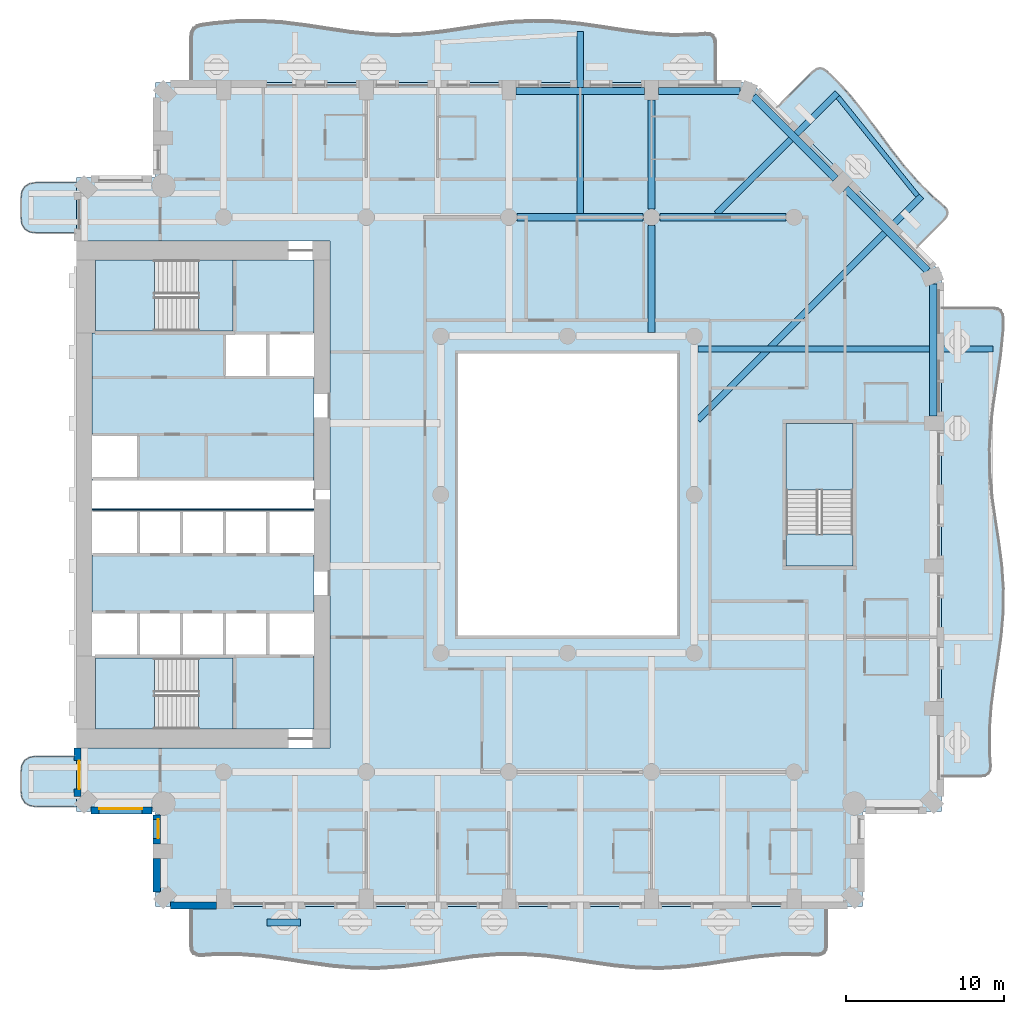
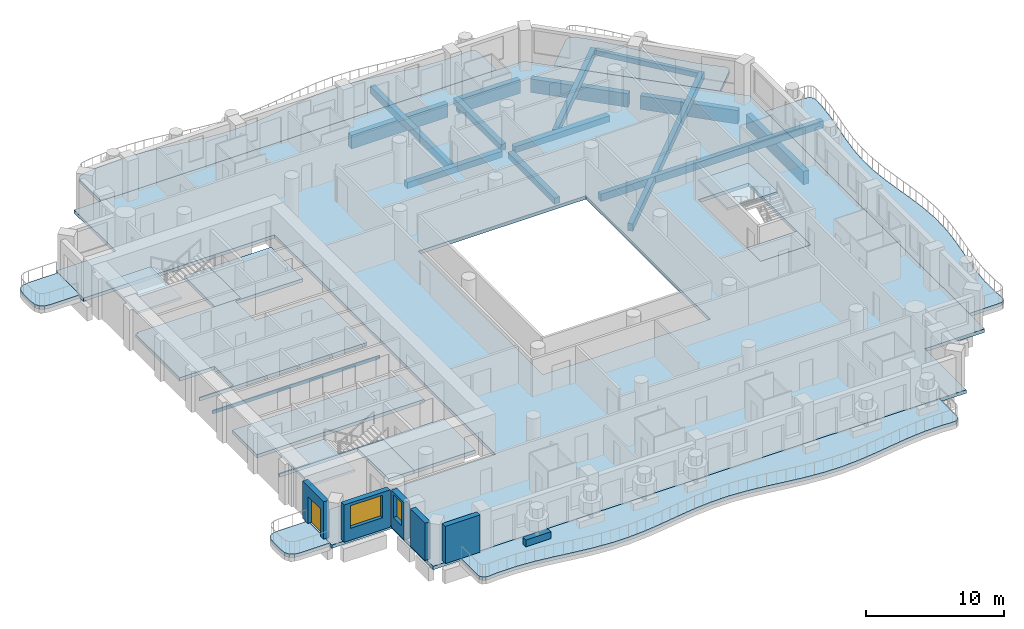
# One storey, part 2 of 19: 17 slabs, 14 beams, 6 walls, 2 windows, 1 door, 3 openings, 3 elements without a shape of their own.
"""IFC4 building model written with IfcOpenShell, lengths in metres."""

from ifc_helpers import new_model, si_unit, direction, frame, frame_2d, origin, origin_2d, place, context, subcontext, project, spatial, polyline, rectangle, outline, extrude, material, layer, layer_set, material_profile, profile_set, type_object, element, fill, aggregate, save


model = new_model("IFC4")

# Units and contexts
model_context = context("Model", 3, precision=1e-05, world=origin(), true_north=direction((0.0, 1.0)))
body_context = subcontext(model_context, "Body", "Model", "MODEL_VIEW")
ifc_project = project(units=[si_unit("LENGTHUNIT", "METRE"), si_unit("AREAUNIT", "SQUARE_METRE"), si_unit("VOLUMEUNIT", "CUBIC_METRE"), si_unit("PLANEANGLEUNIT", "RADIAN"), si_unit("MASSUNIT", "GRAM", prefix="KILO")], contexts=[model_context])

# Site, building, storey
site_placement = place(None, origin())
site = spatial("IfcSite", under=ifc_project, at=site_placement, CompositionType="ELEMENT")
building_placement = place(site_placement, origin())
building = spatial("IfcBuilding", under=site, at=building_placement, Name="Cypress Arch Tower", CompositionType="ELEMENT")
storey_placement = place(building_placement, frame((0.0, 0.0, 105.89990234375)))
storey = spatial("IfcBuildingStorey", under=building, at=storey_placement, Name="L21", CompositionType="ELEMENT", Elevation=105.89990234375)

# Beams
ifc_material_1 = material(Name="Concrete C50/60", Category="concrete")
ifc_material_profile_1 = material_profile(ifc_material_1, rectangle(XDim=0.300048828125, YDim=0.449951171875, at=origin_2d()), Name="RC 300x450")
ifc_profile_set_1 = profile_set([ifc_material_profile_1], Name="Concrete C50/60")
beam_type_1 = type_object("IfcBeamType", Name="Balcony edge beam RC 300x450 Concrete C50/60", PredefinedType="BEAM", material=ifc_profile_set_1)
beam_1_placement = place(storey_placement, frame((23.08642578125, 18.85693359375, -0.52490234375), z_axis=(-0.627602251631, 0.77853414424, 0.0), x_axis=(-0.77853414424, -0.627602251631, 0.0)))
element("IfcBeam", 1, at=beam_1_placement, inside=storey, type_object=beam_type_1, Name="Balcony edge beam L21 A07", PredefinedType="BEAM", context=body_context, shape_type="SweptSolid", body=[
    extrude(rectangle(XDim=0.300048828125, YDim=0.449951171875, at=origin_2d()), origin(), (0.0, 0.0, 1.0), 8.0068359375),
])
ifc_material_2 = material(Name="Concrete C50/60", Category="concrete")
ifc_material_profile_2 = material_profile(ifc_material_2, rectangle(XDim=0.39990234375, YDim=0.64990234375, at=origin_2d()), Name="RC 400x650")
ifc_profile_set_2 = profile_set([ifc_material_profile_2], Name="Concrete C50/60")
beam_type_2 = type_object("IfcBeamType", Name="Cantilever beam RC 400x650 Concrete C50/60", PredefinedType="BEAM", material=ifc_profile_set_2)
beam_2_placement = place(storey_placement, frame((9.22509765625, 9.18798828125, -0.625), z_axis=(1.0, 0.0, 0.0), x_axis=(0.0, 1.0, 0.0)))
element("IfcBeam", 2, at=beam_2_placement, inside=storey, type_object=beam_type_2, Name="Cantilever beam L21 A06 2", PredefinedType="BEAM", context=body_context, shape_type="SweptSolid", body=[
    extrude(rectangle(XDim=0.39990234375, YDim=0.64990234375, at=origin_2d()), origin(), (0.0, 0.0, 1.0), 18.62744140625),
])
beam_3_placement = place(storey_placement, frame((9.22509765625, 4.712890625, -0.625), z_axis=(0.707100663208, 0.707112899112, 0.0), x_axis=(-0.707112899112, 0.707100663208, 0.0)))
element("IfcBeam", 3, at=beam_3_placement, inside=storey, type_object=beam_type_2, Name="Cantilever beam L21 A07 1", PredefinedType="BEAM", context=body_context, shape_type="SweptSolid", body=[
    extrude(rectangle(XDim=0.39990234375, YDim=0.64990234375, at=origin_2d()), origin(), (0.0, 0.0, 1.0), 19.952880859375),
])
beam_4_placement = place(storey_placement, frame((10.412841796875, 17.72509765625, -0.625), z_axis=(0.707118119295, 0.707095442897, 0.0), x_axis=(-0.707095442897, 0.707118119295, 0.0)))
element("IfcBeam", 4, at=beam_4_placement, inside=storey, type_object=beam_type_2, Name="Cantilever beam L21 A07 2", PredefinedType="BEAM", context=body_context, shape_type="SweptSolid", body=[
    extrude(rectangle(XDim=0.39990234375, YDim=0.64990234375, at=origin_2d()), origin(), (0.0, 0.0, 1.0), 10.766357421875),
])
beam_5_placement = place(storey_placement, frame((1.800048828125, 17.72509765625, -0.625), z_axis=(0.0, 1.0, 0.0), x_axis=(-1.0, 0.0, 0.0)))
element("IfcBeam", 5, at=beam_5_placement, inside=storey, type_object=beam_type_2, Name="Cantilever beam L21 A08 1", PredefinedType="BEAM", context=body_context, shape_type="SweptSolid", body=[
    extrude(rectangle(XDim=0.39990234375, YDim=0.64990234375, at=origin_2d()), origin(), (0.0, 0.0, 1.0), 11.488037109375),
])
ifc_material_3 = material(Name="Concrete C50/60", Category="concrete")
ifc_material_profile_3 = material_profile(ifc_material_3, rectangle(XDim=0.449951171875, YDim=0.550048828125, at=origin_2d()), Name="RC 450x550")
ifc_profile_set_3 = profile_set([ifc_material_profile_3], Name="Concrete C50/60")
beam_type_3 = type_object("IfcBeamType", Name="Floor beam RC 450x550 Concrete C50/60", PredefinedType="BEAM", material=ifc_profile_set_3)
for number, where, z_axis, x_axis, name in (
    (6, (-2.175048828125, 17.5, -0.574951171875), (1.0, 0.0, 0.0), (0.0, 1.0, 0.0), "Floor beam L21 FB017"),
    (7, (6.824951171875, 17.5, -0.574951171875), (1.0, 0.0, 0.0), (0.0, 1.0, 0.0), "Floor beam L21 FB018"),
):
    element("IfcBeam", number, at=place(storey_placement, frame(where, z_axis=z_axis, x_axis=x_axis)), inside=storey, type_object=beam_type_3, Name=name, PredefinedType="BEAM", context=body_context, shape_type="SweptSolid", body=[
        extrude(rectangle(XDim=0.449951171875, YDim=0.550048828125, at=origin_2d()), origin(), (0.0, 0.0, 1.0), 7.949951171875),
    ])
beam_6_placement = place(storey_placement, frame((6.300048828125, 10.22509765625, -0.574951171875), z_axis=(0.0, 1.0, 0.0), x_axis=(-1.0, 0.0, 0.0)))
element("IfcBeam", 8, at=beam_6_placement, inside=storey, type_object=beam_type_3, Name="Floor beam L21 FB032", PredefinedType="BEAM", context=body_context, shape_type="SweptSolid", body=[
    extrude(rectangle(XDim=0.449951171875, YDim=0.550048828125, at=origin_2d()), origin(), (0.0, 0.0, 1.0), 6.75),
])
beam_7_placement = place(storey_placement, frame((6.300048828125, 18.02490234375, -0.574951171875), z_axis=(0.0, 1.0, 0.0), x_axis=(-1.0, 0.0, 0.0)))
element("IfcBeam", 9, at=beam_7_placement, inside=storey, type_object=beam_type_3, Name="Floor beam L21 FB033", PredefinedType="BEAM", context=body_context, shape_type="SweptSolid", body=[
    extrude(rectangle(XDim=0.449951171875, YDim=0.550048828125, at=origin_2d()), origin(), (0.0, 0.0, 1.0), 6.875),
])
ifc_material_4 = material(Name="Concrete C50/60", Category="concrete")
ifc_material_profile_4 = material_profile(ifc_material_4, rectangle(XDim=0.449951171875, YDim=1.199951171875, at=origin_2d()), Name="RC 450x1200")
ifc_profile_set_4 = profile_set([ifc_material_profile_4], Name="Concrete C50/60")
beam_type_4 = type_object("IfcBeamType", Name="Spandrel beam RC 450x1200 Concrete C50/60", PredefinedType="SPANDREL", material=ifc_profile_set_4)
beam_8_placement = place(storey_placement, frame((24.074951171875, 4.949951171875, -1.5498046875), z_axis=(0.0, 1.0, 0.0), x_axis=(-1.0, 0.0, 0.0)))
element("IfcBeam", 10, at=beam_8_placement, inside=storey, type_object=beam_type_4, Name="Spandrel beam L21 BA06-3", PredefinedType="SPANDREL", context=body_context, shape_type="SweptSolid", body=[
    extrude(rectangle(XDim=0.449951171875, YDim=1.199951171875, at=origin_2d()), origin(), (0.0, 0.0, 1.0), 8.345458984375),
])
for number, where, z_axis, x_axis, name in (
    (11, (23.73046875, 14.126953125, -1.5498046875), (-0.707106781187, 0.707106781187, 0.0), (-0.707106781187, -0.707106781187, 0.0), "Spandrel beam L21 BA07-0"),
    (12, (17.91064453125, 19.947021484375, -1.5498046875), (-0.707106781187, 0.707106781187, 0.0), (-0.707106781187, -0.707106781187, 0.0), "Spandrel beam L21 BA07-1"),
):
    element("IfcBeam", number, at=place(storey_placement, frame(where, z_axis=z_axis, x_axis=x_axis)), inside=storey, type_object=beam_type_4, Name=name, PredefinedType="SPANDREL", context=body_context, shape_type="SweptSolid", body=[
        extrude(rectangle(XDim=0.449951171875, YDim=1.199951171875, at=origin_2d()), origin(), (0.0, 0.0, 1.0), 7.330810546875),
    ])
beam_9_placement = place(storey_placement, frame((11.8955078125, 25.47509765625, -1.5498046875), z_axis=(-1.0, 0.0, 0.0), x_axis=(0.0, -1.0, 0.0)))
element("IfcBeam", 13, at=beam_9_placement, inside=storey, type_object=beam_type_4, Name="Spandrel beam L21 BA08-0", PredefinedType="SPANDREL", context=body_context, shape_type="SweptSolid", body=[
    extrude(rectangle(XDim=0.449951171875, YDim=1.199951171875, at=origin_2d()), origin(), (0.0, 0.0, 1.0), 5.1455078125),
])
beam_10_placement = place(storey_placement, frame((5.85009765625, 25.47509765625, -1.5498046875), z_axis=(-1.0, 0.0, 0.0), x_axis=(0.0, -1.0, 0.0)))
element("IfcBeam", 14, at=beam_10_placement, inside=storey, type_object=beam_type_4, Name="Spandrel beam L21 BA08-1", PredefinedType="SPANDREL", context=body_context, shape_type="SweptSolid", body=[
    extrude(rectangle(XDim=0.449951171875, YDim=1.199951171875, at=origin_2d()), origin(), (0.0, 0.0, 1.0), 8.10009765625),
])

# Slabs
ifc_material_5 = material(Name="Concrete C40/50", Category="concrete")
ifc_layer_1 = layer(ifc_material_5, 0.300048828125)
ifc_layer_set_1 = layer_set([ifc_layer_1], Name="Balcony slab BS300")
slab_type_1 = type_object("IfcSlabType", Name="Balcony slab BS300", PredefinedType="USERDEFINED", material=ifc_layer_set_1)
slab_1_placement = place(storey_placement, frame((0.0, 0.0, -0.2998046875)))
element("IfcSlab", 15, at=slab_1_placement, inside=storey, type_object=slab_type_1, Name="Balcony slab L21-A00W0", ObjectType="BALCONY SLAB", PredefinedType="USERDEFINED", context=body_context, shape_type="SweptSolid", body=[
    extrude(outline(polyline([(-30.0, 19.699951171875), (-32.5, 19.699951171875), (-32.9375, 19.637451171875), (-33.25, 19.449951171875), (-33.4375, 19.137451171875), (-33.5, 18.699951171875), (-33.5, 17.5), (-33.4375, 17.0625), (-33.25, 16.75), (-32.9375, 16.5625), (-32.5, 16.5), (-30.0, 16.5), (-30.0, 19.699951171875)])), origin(), (0.0, 0.0, 1.0), 0.2998046875),
])
slab_2_placement = place(storey_placement, frame((0.0, 0.0, -0.2998046875)))
element("IfcSlab", 16, at=slab_2_placement, inside=storey, type_object=slab_type_1, Name="Balcony slab L21-A00W1", ObjectType="BALCONY SLAB", PredefinedType="USERDEFINED", context=body_context, shape_type="SweptSolid", body=[
    extrude(outline(polyline([(-30.0, -16.5), (-32.5, -16.5), (-32.9375, -16.5625), (-33.25, -16.75), (-33.4375, -17.0625), (-33.5, -17.5), (-33.5, -18.699951171875), (-33.4375, -19.137451171875), (-33.25, -19.449951171875), (-32.9375, -19.637451171875), (-32.5, -19.699951171875), (-30.0, -19.699951171875), (-30.0, -16.5)])), origin(), (0.0, 0.0, 1.0), 0.2998046875),
])
slab_3_placement = place(storey_placement, frame((0.0, 0.0, -0.2998046875)))
element("IfcSlab", 17, at=slab_3_placement, inside=storey, type_object=slab_type_1, Name="Balcony slab L21-A03", ObjectType="BALCONY SLAB", PredefinedType="USERDEFINED", context=body_context, shape_type="SweptSolid", body=[
    extrude(outline(polyline([(-22.75, -26.0), (-22.75, -28.46142578125), (-22.708251953125, -28.75146484375), (-22.5830078125, -28.951171875), (-22.3740234375, -29.060546875), (-22.081787109375, -29.07958984375), (-21.264892578125, -29.015869140625), (-19.779541015625, -29.01416015625), (-18.29443359375, -29.126953125), (-16.809326171875, -29.324462890625), (-15.323974609375, -29.55517578125), (-13.8388671875, -29.758056640625), (-12.353759765625, -29.880126953125), (-10.868408203125, -29.88916015625), (-9.38330078125, -29.78271484375), (-7.898193359375, -29.5888671875), (-6.412841796875, -29.3583984375), (-4.927734375, -29.152099609375), (-3.442626953125, -29.024169921875), (-1.95751953125, -29.008056640625), (-0.47216796875, -29.108154296875), (1.012939453125, -29.298095703125), (2.498046875, -29.52783203125), (3.9833984375, -29.7373046875), (5.468505859375, -29.87109375), (6.95361328125, -29.894287109375), (8.43896484375, -29.80078125), (9.924072265625, -29.614990234375), (11.4091796875, -29.385986328125), (12.89453125, -29.173583984375), (14.379638671875, -29.033935546875), (15.86474609375, -29.003662109375), (16.681640625, -29.051513671875), (16.97412109375, -29.02685546875), (17.182861328125, -28.91357421875), (17.308349609375, -28.711669921875), (17.35009765625, -28.421142578125), (17.35009765625, -26.0), (-22.75, -26.0)])), origin(), (0.0, 0.0, 1.0), 0.2998046875),
])
slab_4_placement = place(storey_placement, frame((0.0, 0.0, -0.2998046875)))
element("IfcSlab", 18, at=slab_4_placement, inside=storey, type_object=slab_type_1, Name="Balcony slab L21-A06", ObjectType="BALCONY SLAB", PredefinedType="USERDEFINED", context=body_context, shape_type="SweptSolid", body=[
    extrude(outline(polyline([(24.60009765625, -17.75), (27.06591796875, -17.75), (27.35400390625, -17.70849609375), (27.552490234375, -17.583984375), (27.660888671875, -17.376708984375), (27.679931640625, -17.086181640625), (27.616455078125, -16.27490234375), (27.61328125, -14.800048828125), (27.7236328125, -13.324951171875), (27.91845703125, -11.85009765625), (28.1474609375, -10.375), (28.35107421875, -8.89990234375), (28.476806640625, -7.425048828125), (28.49169921875, -5.949951171875), (28.39208984375, -4.47509765625), (28.203857421875, -3.0), (27.975830078125, -1.52490234375), (27.766845703125, -0.050048828125), (27.63134765625, 1.425048828125), (27.6044921875, 2.89990234375), (27.69287109375, 4.375), (27.874267578125, 5.85009765625), (28.100830078125, 7.324951171875), (28.314453125, 8.800048828125), (28.45947265625, 10.27490234375), (28.480712890625, 11.086181640625), (28.447021484375, 11.376708984375), (28.327880859375, 11.583984375), (28.123779296875, 11.70849609375), (27.834228515625, 11.75), (24.60009765625, 11.75), (24.60009765625, -17.75)])), origin(), (0.0, 0.0, 1.0), 0.2998046875),
])
slab_5_placement = place(storey_placement, frame((0.0, 0.0, -0.2998046875)))
element("IfcSlab", 19, at=slab_5_placement, inside=storey, type_object=slab_type_1, Name="Balcony slab L21-A07", ObjectType="BALCONY SLAB", PredefinedType="USERDEFINED", context=body_context, shape_type="SweptSolid", body=[
    extrude(outline(polyline([(23.009033203125, 15.591064453125), (24.78125, 17.36328125), (24.945068359375, 17.58203125), (24.993896484375, 17.79638671875), (24.927978515625, 18.005859375), (24.7470703125, 18.2109375), (24.1650390625, 18.70654296875), (23.176025390625, 19.677001953125), (22.259033203125, 20.719482421875), (21.399169921875, 21.8193359375), (20.5693359375, 22.94921875), (19.735107421875, 24.074462890625), (18.86279296875, 25.16162109375), (17.927978515625, 26.1865234375), (17.373779296875, 26.7099609375), (17.147705078125, 26.869873046875), (16.92333984375, 26.9208984375), (16.700439453125, 26.863525390625), (16.479248046875, 26.697265625), (14.19091796875, 24.408935546875), (23.009033203125, 15.591064453125)])), origin(), (0.0, 0.0, 1.0), 0.2998046875),
])
slab_6_placement = place(storey_placement, frame((0.0, 0.0, -0.2998046875)))
element("IfcSlab", 20, at=slab_6_placement, inside=storey, type_object=slab_type_1, Name="Balcony slab L21-A08", ObjectType="BALCONY SLAB", PredefinedType="USERDEFINED", context=body_context, shape_type="SweptSolid", body=[
    extrude(outline(polyline([(10.35009765625, 26.0), (10.35009765625, 28.482177734375), (10.3095703125, 28.76318359375), (10.18798828125, 28.95654296875), (9.98583984375, 29.062255859375), (9.702392578125, 29.08056640625), (8.910888671875, 29.017822265625), (7.4716796875, 29.0107421875), (6.03271484375, 29.112060546875), (4.593505859375, 29.297119140625), (3.154296875, 29.519775390625), (1.71533203125, 29.72509765625), (0.276123046875, 29.862548828125), (-1.1630859375, 29.898193359375), (-2.602294921875, 29.822998046875), (-4.041259765625, 29.655517578125), (-5.48046875, 29.437255859375), (-6.919677734375, 29.222412109375), (-8.358642578125, 29.0634765625), (-9.7978515625, 29.000244140625), (-11.237060546875, 29.048095703125), (-12.676025390625, 29.1953125), (-14.115234375, 29.4052734375), (-15.554443359375, 29.62646484375), (-16.993408203125, 29.803955078125), (-18.4326171875, 29.89404296875), (-19.871826171875, 29.874267578125), (-21.310791015625, 29.749755859375), (-22.102294921875, 29.640625), (-22.3857421875, 29.560546875), (-22.588134765625, 29.41015625), (-22.70947265625, 29.18896484375), (-22.75, 28.8974609375), (-22.75, 26.0), (10.35009765625, 26.0)])), origin(), (0.0, 0.0, 1.0), 0.2998046875),
])
ifc_material_6 = material(Name="Concrete C40/50", Category="concrete")
ifc_layer_2 = layer(ifc_material_6, 0.300048828125)
ifc_layer_set_2 = layer_set([ifc_layer_2], Name="Core floor CF300")
slab_type_2 = type_object("IfcSlabType", Name="Core floor CF300", PredefinedType="FLOOR", material=ifc_layer_set_2)
slab_7_placement = place(storey_placement, frame((0.0, 0.0, -0.2998046875)))
element("IfcSlab", 21, at=slab_7_placement, inside=storey, type_object=slab_type_2, Name="Core floor", PredefinedType="FLOOR", context=body_context, shape_type="SweptSolid", body=[
    extrude(outline(polyline([(-20.125, -14.800048828125), (-15.0, -14.800048828125), (-15.0, -10.199951171875), (-17.919921875, -10.199951171875), (-20.639892578125, -10.199951171875), (-23.360107421875, -10.199951171875), (-26.080078125, -10.199951171875), (-28.800048828125, -10.199951171875), (-28.800048828125, -10.324951171875), (-22.27490234375, -10.324951171875), (-20.125, -10.324951171875), (-20.125, -14.800048828125)])), origin(), (0.0, 0.0, 1.0), 0.2998046875),
])
slab_8_placement = place(storey_placement, frame((0.0, 0.0, -0.2998046875)))
element("IfcSlab", 22, at=slab_8_placement, inside=storey, type_object=slab_type_2, Name="Core floor", PredefinedType="FLOOR", context=body_context, shape_type="SweptSolid", body=[
    extrude(outline(polyline([(-29.0, -3.800048828125), (-29.0, -7.39990234375), (-26.080078125, -7.39990234375), (-23.360107421875, -7.39990234375), (-20.639892578125, -7.39990234375), (-17.919921875, -7.39990234375), (-15.0, -7.39990234375), (-15.0, -3.800048828125), (-17.919921875, -3.800048828125), (-20.639892578125, -3.800048828125), (-23.360107421875, -3.800048828125), (-26.080078125, -3.800048828125), (-29.0, -3.800048828125)])), origin(), (0.0, 0.0, 1.0), 0.2998046875),
])
slab_9_placement = place(storey_placement, frame((0.0, 0.0, -0.2998046875)))
element("IfcSlab", 23, at=slab_9_placement, inside=storey, type_object=slab_type_2, Name="Core floor", PredefinedType="FLOOR", context=body_context, shape_type="SweptSolid", body=[
    extrude(outline(polyline([(-29.0, 3.800048828125), (-29.0, 10.199951171875), (-28.800048828125, 10.199951171875), (-28.800048828125, 10.324951171875), (-28.60009765625, 10.324951171875), (-22.27490234375, 10.324951171875), (-20.125, 10.324951171875), (-20.125, 14.800048828125), (-15.39990234375, 14.800048828125), (-15.0, 14.800048828125), (-15.0, 10.199951171875), (-15.39990234375, 10.199951171875), (-17.919921875, 10.199951171875), (-20.639892578125, 10.199951171875), (-20.639892578125, 7.39990234375), (-17.919921875, 7.39990234375), (-15.39990234375, 7.39990234375), (-15.0, 7.39990234375), (-15.0, 0.89990234375), (-28.60009765625, 0.89990234375), (-29.0, 0.89990234375), (-29.0, 1.0), (-28.60009765625, 1.0), (-26.080078125, 1.0), (-26.080078125, 3.800048828125), (-28.60009765625, 3.800048828125), (-29.0, 3.800048828125)])), origin(), (0.0, 0.0, 1.0), 0.2998046875),
])
slab_10_placement = place(storey_placement, frame((0.0, 0.0, -0.2998046875)))
element("IfcSlab", 24, at=slab_10_placement, inside=storey, type_object=slab_type_2, Name="Core floor", PredefinedType="FLOOR", context=body_context, shape_type="SweptSolid", body=[
    extrude(outline(polyline([(-22.27490234375, -10.324951171875), (-22.27490234375, -14.800048828125), (-20.125, -14.800048828125), (-20.125, -10.324951171875), (-22.27490234375, -10.324951171875)])), origin(), (0.0, 0.0, 1.0), 0.2998046875),
])
slab_11_placement = place(storey_placement, frame((0.0, 0.0, -0.2998046875)))
element("IfcSlab", 25, at=slab_11_placement, inside=storey, type_object=slab_type_2, Name="Core floor", PredefinedType="FLOOR", context=body_context, shape_type="SweptSolid", body=[
    extrude(outline(polyline([(-20.125, 14.800048828125), (-22.27490234375, 14.800048828125), (-22.27490234375, 10.324951171875), (-20.125, 10.324951171875), (-20.125, 14.800048828125)])), origin(), (0.0, 0.0, 1.0), 0.2998046875),
])
slab_12_placement = place(storey_placement, frame((0.0, 0.0, -0.2998046875)))
element("IfcSlab", 26, at=slab_12_placement, inside=storey, type_object=slab_type_2, Name="Stair floor landing", PredefinedType="FLOOR", context=body_context, shape_type="SweptSolid", body=[
    extrude(outline(polyline([(19.0, -4.5), (19.0, -2.5), (14.800048828125, -2.5), (14.800048828125, -4.5), (19.0, -4.5)])), origin(), (0.0, 0.0, 1.0), 0.2998046875),
])
slab_13_placement = place(storey_placement, frame((0.0, 0.0, -0.2998046875)))
element("IfcSlab", 27, at=slab_13_placement, inside=storey, type_object=slab_type_2, Name="Core floor", PredefinedType="FLOOR", context=body_context, shape_type="SweptSolid", body=[
    extrude(outline(polyline([(-20.639892578125, -1.0), (-23.360107421875, -1.0), (-26.080078125, -1.0), (-28.60009765625, -1.0), (-29.0, -1.0), (-29.0, -0.89990234375), (-28.60009765625, -0.89990234375), (-15.39990234375, -0.89990234375), (-15.0, -0.89990234375), (-15.0, -1.0), (-15.39990234375, -1.0), (-17.919921875, -1.0), (-20.639892578125, -1.0)])), origin(), (0.0, 0.0, 1.0), 0.2998046875),
])
ifc_material_7 = material(Name="Concrete C40/50", Category="concrete")
ifc_layer_3 = layer(ifc_material_7, 0.300048828125)
ifc_layer_set_3 = layer_set([ifc_layer_3], Name="PT flat slab 300 Concrete C40/50")
slab_type_3 = type_object("IfcSlabType", Name="PT flat slab 300 Concrete C40/50", PredefinedType="FLOOR", material=ifc_layer_set_3)
slab_14_placement = place(storey_placement, frame((0.0, 0.0, -0.2998046875)))
element("IfcSlab", 28, at=slab_14_placement, inside=storey, type_object=slab_type_3, Name="Floor slab L21", PredefinedType="FLOOR", context=body_context, shape_type="SweptSolid", body=[
    extrude(outline(polyline([(-30.0, 20.0), (-25.0, 20.0), (-25.0, 26.0), (12.60009765625, 26.0), (24.60009765625, 14.0), (24.60009765625, -20.0), (19.60009765625, -20.0), (19.60009765625, -26.0), (-25.0, -26.0), (-25.0, -20.0), (-30.0, -20.0), (-30.0, -16.0), (-14.0, -16.0), (-14.0, 16.0), (-30.0, 16.0), (-30.0, 20.0)]), holes=[polyline([(-6.0, -9.0), (8.0, -9.0), (8.0, 9.0), (-6.0, 9.0), (-6.0, -9.0)]), polyline([(14.800048828125, -4.5), (19.0, -4.5), (19.0, 4.5), (14.800048828125, 4.5), (14.800048828125, -4.5)])]), origin(), (0.0, 0.0, 1.0), 0.2998046875),
])

# Stair, slab
ifc_material_8 = material(Name="Concrete C40/50", Category="concrete")
stair_type_1 = type_object("IfcStairType", Name="Exit stair ES1636-215", PredefinedType="HALF_TURN_STAIR", material=ifc_material_8)
stair_1_placement = place(storey_placement, origin())
stair_1 = element("IfcStair", 29, at=stair_1_placement, inside=storey, type_object=stair_type_1, Name="L21 Exit stair A", PredefinedType="HALF_TURN_STAIR")
ifc_material_9 = material(Name="Concrete C40/50", Category="concrete")
ifc_layer_4 = layer(ifc_material_9, 0.199951171875)
ifc_layer_set_4 = layer_set([ifc_layer_4], Name="Stair landing SL200")
slab_type_4 = type_object("IfcSlabType", Name="Stair landing SL200", PredefinedType="LANDING", material=ifc_layer_set_4)
slab_15_placement = place(storey_placement, frame((0.0, 0.0, 1.60009765625)))
slab_15 = element("IfcSlab", 30, at=slab_15_placement, type_object=slab_type_4, Name="A landing 1", PredefinedType="LANDING", context=body_context, shape_type="SweptSolid", body=[
    extrude(outline(polyline([(-25.074951171875, -10.324951171875), (-28.800048828125, -10.324951171875), (-28.800048828125, -14.800048828125), (-25.074951171875, -14.800048828125), (-25.074951171875, -10.324951171875)])), origin(), (0.0, 0.0, 1.0), 0.199951171875),
])
aggregate(stair_1, [slab_15])

stair_2_placement = place(storey_placement, origin())
stair_2 = element("IfcStair", 31, at=stair_2_placement, inside=storey, type_object=stair_type_1, Name="L21 Exit stair B", PredefinedType="HALF_TURN_STAIR")
slab_16_placement = place(storey_placement, frame((0.0, 0.0, 1.60009765625)))
slab_16 = element("IfcSlab", 32, at=slab_16_placement, type_object=slab_type_4, Name="B landing 1", PredefinedType="LANDING", context=body_context, shape_type="SweptSolid", body=[
    extrude(outline(polyline([(-25.074951171875, 14.800048828125), (-28.800048828125, 14.800048828125), (-28.800048828125, 10.324951171875), (-25.074951171875, 10.324951171875), (-25.074951171875, 14.800048828125)])), origin(), (0.0, 0.0, 1.0), 0.199951171875),
])
aggregate(stair_2, [slab_16])

ifc_material_10 = material(Name="Concrete C40/50", Category="concrete")
stair_type_2 = type_object("IfcStairType", Name="Exit stair ES1636-200", PredefinedType="HALF_TURN_STAIR", material=ifc_material_10)
stair_3_placement = place(storey_placement, origin())
stair_3 = element("IfcStair", 33, at=stair_3_placement, inside=storey, type_object=stair_type_2, Name="L21 Exit stair C", PredefinedType="HALF_TURN_STAIR")
slab_17_placement = place(storey_placement, frame((0.0, 0.0, 1.60009765625)))
slab_17 = element("IfcSlab", 34, at=slab_17_placement, type_object=slab_type_4, Name="C landing 1", PredefinedType="LANDING", context=body_context, shape_type="SweptSolid", body=[
    extrude(outline(polyline([(19.0, 0.300048828125), (19.0, 4.5), (14.800048828125, 4.5), (14.800048828125, 0.300048828125), (19.0, 0.300048828125)])), origin(), (0.0, 0.0, 1.0), 0.199951171875),
])
aggregate(stair_3, [slab_17])

# Wall
ifc_material_11 = material(Name="Concrete C40/50, waterproofed", Category="concrete")
ifc_layer_5 = layer(ifc_material_11, 0.449951171875)
ifc_layer_set_5 = layer_set([ifc_layer_5], Name="Balcony planter wall PW450")
wall_type_1 = type_object("IfcWallType", Name="Balcony planter wall PW450", PredefinedType="SOLIDWALL", material=ifc_layer_set_5)
wall_1_placement = place(storey_placement, frame((-17.949951171875, -27.0, 0.0), z_axis=(0.0, 0.0, 1.0), x_axis=(1.0, 0.0, 0.0)))
element("IfcWall", 35, at=wall_1_placement, inside=storey, type_object=wall_type_1, Name="Balcony planter wall L21-A03.1", PredefinedType="SOLIDWALL", context=body_context, shape_type="SweptSolid", body=[
    extrude(rectangle(XDim=2.099853515625, YDim=0.449951171875, at=frame_2d((1.0498046875, 0.0))), origin(), (0.0, 0.0, 1.0), 0.60009765625),
])

# Wall, opening, door
ifc_material_12 = material(Name="Brick (red buff blend)", Category="masonry")
ifc_layer_6 = layer(ifc_material_12, 0.449951171875)
ifc_layer_set_6 = layer_set([ifc_layer_6], Name="Brick pier and spandrel wall BW450")
wall_type_2 = type_object("IfcWallType", Name="Brick pier and spandrel wall BW450", PredefinedType="SOLIDWALL", material=ifc_layer_set_6)
wall_2_placement = place(storey_placement, frame((-29.925048828125, -16.0, 0.0), z_axis=(0.0, 0.0, 1.0), x_axis=(0.0, -1.0, 0.0)))
wall_2 = element("IfcWall", 36, at=wall_2_placement, inside=storey, type_object=wall_type_2, Name="Brick wall L21 A00.0.1", PredefinedType="SOLIDWALL", context=body_context, shape_type="SweptSolid", body=[
    extrude(rectangle(XDim=3.063720703125, YDim=0.449951171875, at=frame_2d((1.53173828125, 0.0))), origin(), (0.0, 0.0, 1.0), 3.300048828125),
])
opening_1_placement = place(wall_2_placement, frame((0.78173828125, 0.0, 0.0)))
opening_1 = element("IfcOpeningElement", 37, at=opening_1_placement, cuts=wall_2, Name="Opening D-L21-A00.0.1.9", PredefinedType="OPENING", context=body_context, shape_type="SweptSolid", body=[
    extrude(rectangle(XDim=1.800048828125, YDim=2.39990234375, at=frame_2d((0.89990234375, 1.199951171875))), frame((0.0, 0.23486328125, 0.0), z_axis=(0.0, -1.0, 0.0), x_axis=(1.0, 0.0, 0.0)), (0.0, 0.0, 1.0), 0.469970703125),
])
ifc_material_13 = material(Name="Anodised aluminium, bronze finish, laminated low-emissivity double glazing, large-missile impact rated", Category="aluminium")
door_type = type_object("IfcDoorType", Name="Balcony sliding door 1800x2400", OperationType="SLIDING_TO_LEFT", PredefinedType="DOOR", material=ifc_material_13)
door_placement = place(opening_1_placement, origin())
door = element("IfcDoor", 38, at=door_placement, inside=storey, type_object=door_type, Name="Balcony door L21 A00.0.1.9", OperationType="SLIDING_TO_LEFT", OverallHeight=2.39990234375, OverallWidth=1.800048828125, PredefinedType="DOOR", context=body_context, shape_type="SweptSolid", body=[
    extrude(rectangle(XDim=1.800048828125, YDim=2.39990234375, at=frame_2d((0.89990234375, 1.199951171875))), frame((0.0, 0.1298828125, 0.0), z_axis=(0.0, -1.0, 0.0), x_axis=(1.0, 0.0, 0.0)), (0.0, 0.0, 1.0), 0.050048828125),
])
fill(opening_1, door)

# Wall, opening, window
wall_3_placement = place(storey_placement, frame((-29.063720703125, -19.925048828125, 0.0), z_axis=(0.0, 0.0, 1.0), x_axis=(1.0, 0.0, 0.0)))
wall_3 = element("IfcWall", 39, at=wall_3_placement, inside=storey, type_object=wall_type_2, Name="Brick wall L21 A01.0", PredefinedType="SOLIDWALL", context=body_context, shape_type="SweptSolid", body=[
    extrude(rectangle(XDim=3.856689453125, YDim=0.449951171875, at=frame_2d((1.92822265625, 0.0))), origin(), (0.0, 0.0, 1.0), 3.300048828125),
])
opening_2_placement = place(wall_3_placement, frame((0.513671875, 0.0, 1.050048828125)))
opening_2 = element("IfcOpeningElement", 40, at=opening_2_placement, cuts=wall_3, Name="Opening W270H", PredefinedType="OPENING", context=body_context, shape_type="SweptSolid", body=[
    extrude(rectangle(XDim=2.699951171875, YDim=2.0, at=frame_2d((1.35009765625, 1.0))), frame((0.0, 0.23486328125, 0.0), z_axis=(0.0, -1.0, 0.0), x_axis=(1.0, 0.0, 0.0)), (0.0, 0.0, 1.0), 0.469970703125),
])
ifc_material_14 = material(Name="Anodised aluminium, bronze finish, clear low-emissivity double glazing", Category="aluminium")
window_type_1 = type_object("IfcWindowType", Name="Window Hotel 2700x2000", PartitioningType="SINGLE_PANEL", PredefinedType="WINDOW", material=ifc_material_14)
window_1_placement = place(opening_2_placement, origin())
window_1 = element("IfcWindow", 41, at=window_1_placement, inside=storey, type_object=window_type_1, Name="Window L21 A01.0.1", OverallHeight=2.0, OverallWidth=2.699951171875, PartitioningType="SINGLE_PANEL", PredefinedType="WINDOW", context=body_context, shape_type="SweptSolid", body=[
    extrude(rectangle(XDim=2.699951171875, YDim=2.0, at=frame_2d((1.35009765625, 1.0))), frame((0.0, 0.135009765625, 0.0), z_axis=(0.0, -1.0, 0.0), x_axis=(1.0, 0.0, 0.0)), (0.0, 0.0, 1.0), 0.06005859375),
])
fill(opening_2, window_1)

wall_4_placement = place(storey_placement, frame((-24.925048828125, -20.20703125, 0.0), z_axis=(0.0, 0.0, 1.0), x_axis=(0.0, -1.0, 0.0)))
wall_4 = element("IfcWall", 42, at=wall_4_placement, inside=storey, type_object=wall_type_2, Name="Brick wall L21 A02.0", PredefinedType="SOLIDWALL", context=body_context, shape_type="SweptSolid", body=[
    extrude(rectangle(XDim=1.843017578125, YDim=0.449951171875, at=frame_2d((0.92138671875, 0.0))), origin(), (0.0, 0.0, 1.0), 3.300048828125),
])
opening_3_placement = place(wall_4_placement, frame((0.29296875, 0.0, 1.050048828125)))
opening_3 = element("IfcOpeningElement", 43, at=opening_3_placement, cuts=wall_4, Name="Opening W120H", PredefinedType="OPENING", context=body_context, shape_type="SweptSolid", body=[
    extrude(rectangle(XDim=1.199951171875, YDim=2.0, at=frame_2d((0.60009765625, 1.0))), frame((0.0, 0.23486328125, 0.0), z_axis=(0.0, -1.0, 0.0), x_axis=(1.0, 0.0, 0.0)), (0.0, 0.0, 1.0), 0.469970703125),
])
ifc_material_15 = material(Name="Anodised aluminium, bronze finish, clear low-emissivity double glazing", Category="aluminium")
window_type_2 = type_object("IfcWindowType", Name="Window Hotel 1200x2000", PartitioningType="SINGLE_PANEL", PredefinedType="WINDOW", material=ifc_material_15)
window_2_placement = place(opening_3_placement, origin())
window_2 = element("IfcWindow", 44, at=window_2_placement, inside=storey, type_object=window_type_2, Name="Window L21 A02.0.1", OverallHeight=2.0, OverallWidth=1.199951171875, PartitioningType="SINGLE_PANEL", PredefinedType="WINDOW", context=body_context, shape_type="SweptSolid", body=[
    extrude(rectangle(XDim=1.199951171875, YDim=2.0, at=frame_2d((0.60009765625, 1.0))), frame((0.0, 0.135009765625, 0.0), z_axis=(0.0, -1.0, 0.0), x_axis=(1.0, 0.0, 0.0)), (0.0, 0.0, 1.0), 0.06005859375),
])
fill(opening_3, window_2)

# Walls
wall_5_placement = place(storey_placement, frame((-24.925048828125, -22.949951171875, 0.0), z_axis=(0.0, 0.0, 1.0), x_axis=(0.0, -1.0, 0.0)))
element("IfcWall", 45, at=wall_5_placement, inside=storey, type_object=wall_type_2, Name="Brick wall L21 A02.1", PredefinedType="SOLIDWALL", context=body_context, shape_type="SweptSolid", body=[
    extrude(rectangle(XDim=2.11376953125, YDim=0.449951171875, at=frame_2d((1.056884765625, 0.0))), origin(), (0.0, 0.0, 1.0), 3.300048828125),
])
wall_6_placement = place(storey_placement, frame((-24.063720703125, -25.925048828125, 0.0), z_axis=(0.0, 0.0, 1.0), x_axis=(1.0, 0.0, 0.0)))
element("IfcWall", 46, at=wall_6_placement, inside=storey, type_object=wall_type_2, Name="Brick wall L21 A03.0", PredefinedType="SOLIDWALL", context=body_context, shape_type="SweptSolid", body=[
    extrude(rectangle(XDim=2.913818359375, YDim=0.449951171875, at=frame_2d((1.45703125, 0.0))), origin(), (0.0, 0.0, 1.0), 3.300048828125),
])

save(model, "model.ifc")
